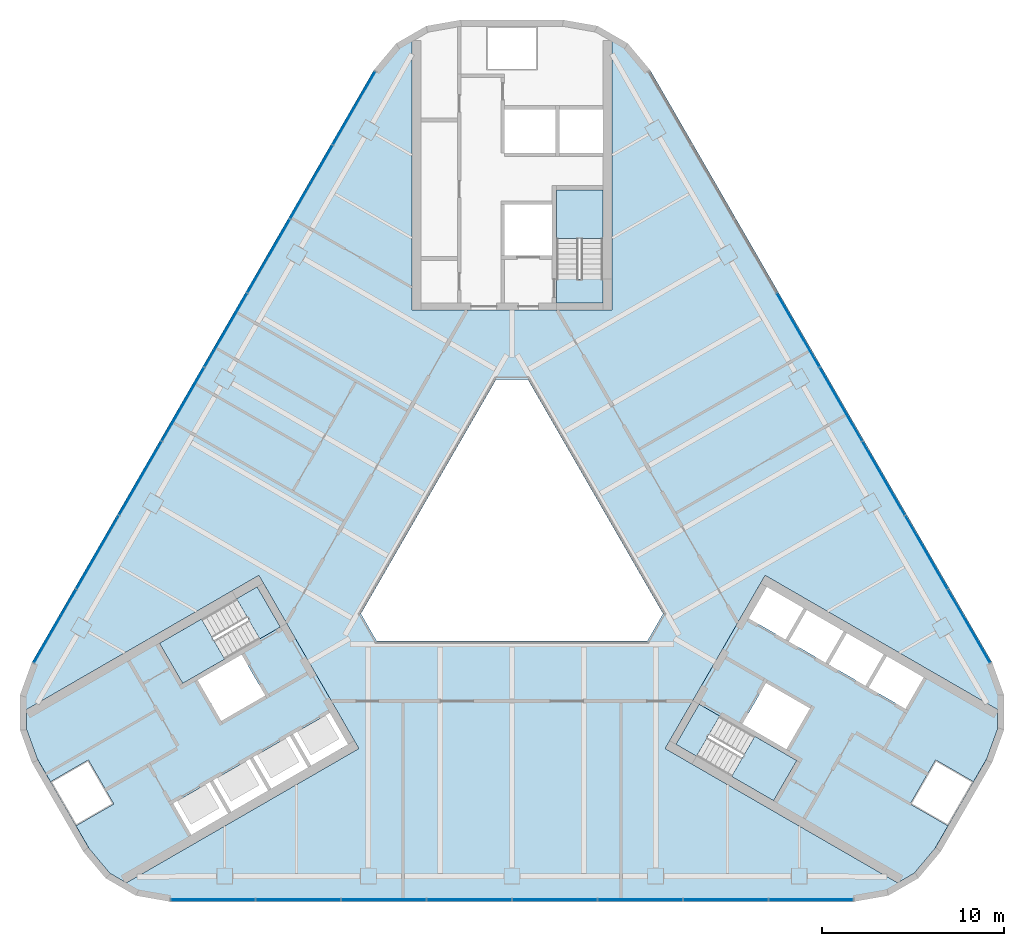
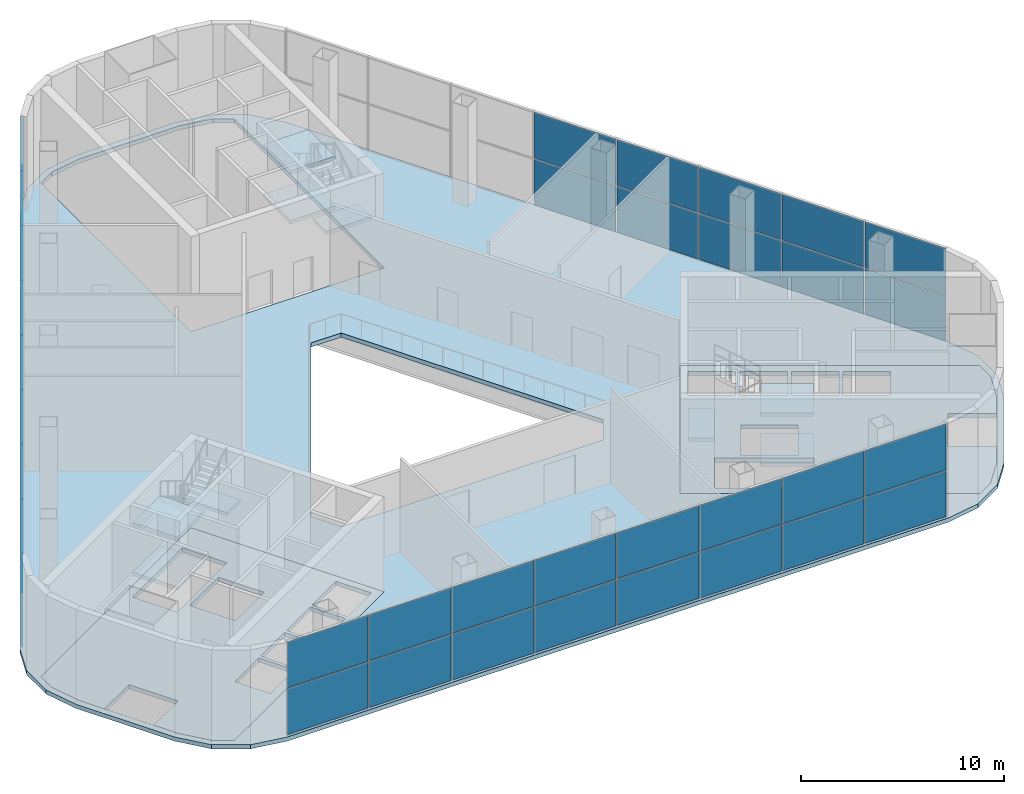
# One storey, part 6 of 14: 42 plates, 12 slabs, 6 elements without a shape of their own.
"""IFC4 building model written with IfcOpenShell, lengths in metres."""

from ifc_helpers import new_model, si_unit, direction, frame, origin, origin_2d, place, context, subcontext, project, spatial, polyline, rectangle, outline, extrude, material, layer, layer_set, type_object, element, aggregate, save


model = new_model("IFC4")

# Units and contexts
model_context = context("Model", 3, precision=1e-05, world=origin(), true_north=direction((0.0, 1.0)))
body_context = subcontext(model_context, "Body", "Model", "MODEL_VIEW")
ifc_project = project(units=[si_unit("LENGTHUNIT", "METRE"), si_unit("AREAUNIT", "SQUARE_METRE"), si_unit("VOLUMEUNIT", "CUBIC_METRE"), si_unit("PLANEANGLEUNIT", "RADIAN"), si_unit("MASSUNIT", "GRAM", prefix="KILO")], contexts=[model_context])

# Site, building, storey
site_placement = place(None, origin())
site = spatial("IfcSite", under=ifc_project, at=site_placement, CompositionType="ELEMENT")
building_placement = place(site_placement, origin())
building = spatial("IfcBuilding", under=site, at=building_placement, Name="Apuvela Tower Hotel", CompositionType="ELEMENT")
storey_placement = place(building_placement, frame((0.0, 0.0, 131.60009765625)))
storey = spatial("IfcBuildingStorey", under=building, at=storey_placement, Name="L31", CompositionType="ELEMENT", Elevation=131.60009765625)

# Slabs
ifc_material_1 = material(Name="Concrete C50/60", Category="concrete")
ifc_layer_1 = layer(ifc_material_1, 0.25)
ifc_layer_set_1 = layer_set([ifc_layer_1], Name="COR-FLOOR-250")
slab_type_1 = type_object("IfcSlabType", Name="COR-FLOOR-250", PredefinedType="FLOOR", material=ifc_layer_set_1)
slab_1_placement = place(storey_placement, frame((0.0, 0.0, -0.25)))
element("IfcSlab", 1, at=slab_1_placement, inside=storey, type_object=slab_type_1, Name="Core floor SW", PredefinedType="FLOOR", context=body_context, shape_type="SweptSolid", body=[
    extrude(outline(polyline([(-26.711181640625, -9.07080078125), (-26.711181640625, -10.123291015625), (-26.109375, -11.77734375), (-25.381591796875, -13.03759765625), (-23.30322265625, -11.837646484375), (-21.9033203125, -14.262451171875), (-23.981689453125, -15.46240234375), (-23.254150390625, -16.72265625), (-22.122802734375, -18.071044921875), (-21.211181640625, -18.59716796875), (-8.421630859375, -11.213134765625), (-13.921630859375, -1.68701171875), (-26.711181640625, -9.07080078125)]), holes=[polyline([(-10.01806640625, -9.248046875), (-9.01806640625, -10.97998046875), (-11.044677734375, -12.150146484375), (-12.044677734375, -10.418212890625), (-10.01806640625, -9.248046875)]), polyline([(-14.244384765625, -11.68798828125), (-12.2177734375, -10.51806640625), (-11.2177734375, -12.25), (-13.244384765625, -13.420166015625), (-14.244384765625, -11.68798828125)]), polyline([(-19.387451171875, -5.419921875), (-15.149169921875, -2.972900390625), (-13.874267578125, -5.18115234375), (-18.112548828125, -7.628173828125), (-19.387451171875, -5.419921875)]), polyline([(-14.869873046875, -6.044677734375), (-13.56982421875, -8.29638671875), (-15.99462890625, -9.6962890625), (-17.294677734375, -7.444580078125), (-14.869873046875, -6.044677734375)]), polyline([(-16.444091796875, -12.9580078125), (-14.41748046875, -11.7880859375), (-13.41748046875, -13.52001953125), (-15.444091796875, -14.690185546875), (-16.444091796875, -12.9580078125)]), polyline([(-18.643798828125, -14.22802734375), (-16.6171875, -13.05810546875), (-15.6171875, -14.7900390625), (-17.643798828125, -15.960205078125), (-18.643798828125, -14.22802734375)])]), origin(), (0.0, 0.0, 1.0), 0.25),
])
slab_2_placement = place(storey_placement, frame((0.0, 0.0, -0.25)))
element("IfcSlab", 2, at=slab_2_placement, inside=storey, type_object=slab_type_1, Name="Core floor SE", PredefinedType="FLOOR", context=body_context, shape_type="SweptSolid", body=[
    extrude(outline(polyline([(21.211181640625, -18.59716796875), (22.122802734375, -18.071044921875), (23.254150390625, -16.72265625), (23.981689453125, -15.46240234375), (21.9033203125, -14.262451171875), (23.30322265625, -11.837646484375), (25.381591796875, -13.03759765625), (26.109375, -11.77734375), (26.711181640625, -10.123291015625), (26.711181640625, -9.07080078125), (13.921630859375, -1.68701171875), (8.421630859375, -11.213134765625), (21.211181640625, -18.59716796875)]), holes=[polyline([(13.01806640625, -4.052001953125), (14.01806640625, -2.31982421875), (16.044677734375, -3.489990234375), (15.044677734375, -5.221923828125), (13.01806640625, -4.052001953125)]), polyline([(17.244384765625, -6.491943359375), (15.2177734375, -5.322021484375), (16.2177734375, -3.58984375), (18.244384765625, -4.760009765625), (17.244384765625, -6.491943359375)]), polyline([(14.387451171875, -14.080078125), (10.149169921875, -11.633056640625), (11.42431640625, -9.4248046875), (15.66259765625, -11.871826171875), (14.387451171875, -14.080078125)]), polyline([(12.669921875, -9.855224609375), (13.9697265625, -7.603515625), (16.394775390625, -9.003662109375), (15.0947265625, -11.25537109375), (12.669921875, -9.855224609375)]), polyline([(19.444091796875, -7.761962890625), (17.41748046875, -6.591796875), (18.41748046875, -4.85986328125), (20.444091796875, -6.02978515625), (19.444091796875, -7.761962890625)]), polyline([(21.643798828125, -9.031982421875), (19.6171875, -7.86181640625), (20.6171875, -6.1298828125), (22.643798828125, -7.2998046875), (21.643798828125, -9.031982421875)])]), origin(), (0.0, 0.0, 1.0), 0.25),
])

# Stair, slabs
stair_type = type_object("IfcStairType", Name="COR-STAIR-36R", PredefinedType="HALF_TURN_STAIR", material=ifc_material_1)
stair_1_placement = place(storey_placement, origin())
stair_1 = element("IfcStair", 3, at=stair_1_placement, inside=storey, type_object=stair_type, Name="L31 Exit stair ST1", PredefinedType="HALF_TURN_STAIR")
ifc_layer_2 = layer(ifc_material_1, 0.199951171875)
ifc_layer_set_2 = layer_set([ifc_layer_2], Name="COR-LANDING-200")
slab_type_2 = type_object("IfcSlabType", Name="COR-LANDING-200", PredefinedType="LANDING", material=ifc_layer_set_2)
slab_3_placement = place(storey_placement, frame((0.0, 0.0, 1.2998046875)))
slab_3 = element("IfcSlab", 4, at=slab_3_placement, type_object=slab_type_2, Name="ST1 landing 1", PredefinedType="LANDING", context=body_context, shape_type="SweptSolid", body=[
    extrude(outline(polyline([(5.0, 16.833984375), (5.0, 19.5), (2.449951171875, 19.5), (2.449951171875, 16.833984375), (5.0, 16.833984375)])), origin(), (0.0, 0.0, 1.0), 0.2001953125),
])
slab_4_placement = place(storey_placement, frame((0.0, 0.0, 2.7998046875)))
slab_4 = element("IfcSlab", 5, at=slab_4_placement, type_object=slab_type_2, Name="ST1 landing 2", PredefinedType="LANDING", context=body_context, shape_type="SweptSolid", body=[
    extrude(outline(polyline([(5.0, 13.300048828125), (5.0, 14.60595703125), (2.449951171875, 14.60595703125), (2.449951171875, 13.300048828125), (5.0, 13.300048828125)])), origin(), (0.0, 0.0, 1.0), 0.2001953125),
])
slab_5_placement = place(storey_placement, frame((0.0, 0.0, 4.2998046875)))
slab_5 = element("IfcSlab", 6, at=slab_5_placement, type_object=slab_type_2, Name="ST1 landing 3", PredefinedType="LANDING", context=body_context, shape_type="SweptSolid", body=[
    extrude(outline(polyline([(5.0, 16.833984375), (5.0, 19.5), (2.449951171875, 19.5), (2.449951171875, 16.833984375), (5.0, 16.833984375)])), origin(), (0.0, 0.0, 1.0), 0.2001953125),
])
aggregate(stair_1, [slab_3, slab_4, slab_5])

stair_2_placement = place(storey_placement, origin())
stair_2 = element("IfcStair", 7, at=stair_2_placement, inside=storey, type_object=stair_type, Name="L31 Exit stair ST2", PredefinedType="HALF_TURN_STAIR")
slab_6_placement = place(storey_placement, frame((0.0, 0.0, 1.2998046875)))
slab_6 = element("IfcSlab", 8, at=slab_6_placement, type_object=slab_type_2, Name="ST2 landing 1", PredefinedType="LANDING", context=body_context, shape_type="SweptSolid", body=[
    extrude(outline(polyline([(-17.07861328125, -4.0869140625), (-19.387451171875, -5.419921875), (-18.112548828125, -7.628173828125), (-15.8037109375, -6.295166015625), (-17.07861328125, -4.0869140625)])), origin(), (0.0, 0.0, 1.0), 0.2001953125),
])
slab_7_placement = place(storey_placement, frame((0.0, 0.0, 2.7998046875)))
slab_7 = element("IfcSlab", 9, at=slab_7_placement, type_object=slab_type_2, Name="ST2 landing 2", PredefinedType="LANDING", context=body_context, shape_type="SweptSolid", body=[
    extrude(outline(polyline([(-14.01806640625, -2.31982421875), (-15.149169921875, -2.972900390625), (-13.874267578125, -5.18115234375), (-12.7431640625, -4.5283203125), (-14.01806640625, -2.31982421875)])), origin(), (0.0, 0.0, 1.0), 0.2001953125),
])
slab_8_placement = place(storey_placement, frame((0.0, 0.0, 4.2998046875)))
slab_8 = element("IfcSlab", 10, at=slab_8_placement, type_object=slab_type_2, Name="ST2 landing 3", PredefinedType="LANDING", context=body_context, shape_type="SweptSolid", body=[
    extrude(outline(polyline([(-17.07861328125, -4.0869140625), (-19.387451171875, -5.419921875), (-18.112548828125, -7.628173828125), (-15.8037109375, -6.295166015625), (-17.07861328125, -4.0869140625)])), origin(), (0.0, 0.0, 1.0), 0.2001953125),
])
aggregate(stair_2, [slab_6, slab_7, slab_8])

stair_3_placement = place(storey_placement, origin())
stair_3 = element("IfcStair", 11, at=stair_3_placement, inside=storey, type_object=stair_type, Name="L31 Exit stair ST3", PredefinedType="HALF_TURN_STAIR")
slab_9_placement = place(storey_placement, frame((0.0, 0.0, 1.2998046875)))
slab_9 = element("IfcSlab", 12, at=slab_9_placement, type_object=slab_type_2, Name="ST3 landing 1", PredefinedType="LANDING", context=body_context, shape_type="SweptSolid", body=[
    extrude(outline(polyline([(12.07861328125, -12.7470703125), (14.387451171875, -14.080078125), (15.66259765625, -11.871826171875), (13.353759765625, -10.538818359375), (12.07861328125, -12.7470703125)])), origin(), (0.0, 0.0, 1.0), 0.2001953125),
])
slab_10_placement = place(storey_placement, frame((0.0, 0.0, 2.7998046875)))
slab_10 = element("IfcSlab", 13, at=slab_10_placement, type_object=slab_type_2, Name="ST3 landing 2", PredefinedType="LANDING", context=body_context, shape_type="SweptSolid", body=[
    extrude(outline(polyline([(9.01806640625, -10.980224609375), (10.149169921875, -11.633056640625), (11.424072265625, -9.4248046875), (10.293212890625, -8.771728515625), (9.01806640625, -10.980224609375)])), origin(), (0.0, 0.0, 1.0), 0.2001953125),
])
slab_11_placement = place(storey_placement, frame((0.0, 0.0, 4.2998046875)))
slab_11 = element("IfcSlab", 14, at=slab_11_placement, type_object=slab_type_2, Name="ST3 landing 3", PredefinedType="LANDING", context=body_context, shape_type="SweptSolid", body=[
    extrude(outline(polyline([(12.07861328125, -12.7470703125), (14.387451171875, -14.080078125), (15.66259765625, -11.871826171875), (13.353759765625, -10.538818359375), (12.07861328125, -12.7470703125)])), origin(), (0.0, 0.0, 1.0), 0.2001953125),
])
aggregate(stair_3, [slab_9, slab_10, slab_11])

# Curtain wall, plates
ifc_material_2 = material(Name="Aluminium 6063-T6, dark bronze anodised", Category="aluminium")
ifc_layer_3 = layer(ifc_material_2, 0.199951171875)
ifc_layer_set_3 = layer_set([ifc_layer_3], Name="ENV-CW-S")
curtain_wall_type = type_object("IfcCurtainWallType", Name="ENV-CW-S", PredefinedType="NOTDEFINED", material=ifc_layer_set_3)
curtain_wall_1_placement = place(storey_placement, origin())
curtain_wall_1 = element("IfcCurtainWall", 15, at=curtain_wall_1_placement, inside=storey, type_object=curtain_wall_type, Name="Curtain wall CW-S S L31", PredefinedType="NOTDEFINED")
ifc_material_3 = material(Name="Glass, dark tinted laminated insulated glazing unit", Category="glass")
ifc_layer_4 = layer(ifc_material_3, 0.0400390625)
ifc_layer_set_4 = layer_set([ifc_layer_4], Name="ENV-PANEL-IGU-40")
plate_type = type_object("IfcPlateType", Name="ENV-PANEL-IGU-40", PredefinedType="CURTAIN_PANEL", material=ifc_layer_set_4)
plate_1_placement = place(storey_placement, frame((-16.447509765625, -19.530029296875, 0.06494140625), z_axis=(0.0, 0.0, 1.0), x_axis=(1.0, 0.0, 0.0)))
plate_1 = element("IfcPlate", 16, at=plate_1_placement, type_object=plate_type, Name="CW-S panel 1.1", PredefinedType="CURTAIN_PANEL", context=body_context, shape_type="SweptSolid", body=[
    extrude(rectangle(XDim=4.6064453125, YDim=0.0400390625, at=origin_2d()), origin(), (0.0, 0.0, 1.0), 2.75244140625),
])
plate_2_placement = place(storey_placement, frame((-16.447509765625, -19.530029296875, 2.88232421875), z_axis=(0.0, 0.0, 1.0), x_axis=(1.0, 0.0, 0.0)))
plate_2 = element("IfcPlate", 17, at=plate_2_placement, type_object=plate_type, Name="CW-S panel 1.2", PredefinedType="CURTAIN_PANEL", context=body_context, shape_type="SweptSolid", body=[
    extrude(rectangle(XDim=4.6064453125, YDim=0.0400390625, at=origin_2d()), origin(), (0.0, 0.0, 1.0), 2.75244140625),
])
plate_3_placement = place(storey_placement, frame((-11.759765625, -19.530029296875, 0.06494140625), z_axis=(0.0, 0.0, 1.0), x_axis=(1.0, 0.0, 0.0)))
plate_3 = element("IfcPlate", 18, at=plate_3_placement, type_object=plate_type, Name="CW-S panel 2.1", PredefinedType="CURTAIN_PANEL", context=body_context, shape_type="SweptSolid", body=[
    extrude(rectangle(XDim=4.638916015625, YDim=0.0400390625, at=origin_2d()), origin(), (0.0, 0.0, 1.0), 2.75244140625),
])
plate_4_placement = place(storey_placement, frame((-11.759765625, -19.530029296875, 2.88232421875), z_axis=(0.0, 0.0, 1.0), x_axis=(1.0, 0.0, 0.0)))
plate_4 = element("IfcPlate", 19, at=plate_4_placement, type_object=plate_type, Name="CW-S panel 2.2", PredefinedType="CURTAIN_PANEL", context=body_context, shape_type="SweptSolid", body=[
    extrude(rectangle(XDim=4.638916015625, YDim=0.0400390625, at=origin_2d()), origin(), (0.0, 0.0, 1.0), 2.75244140625),
])
plate_5_placement = place(storey_placement, frame((-7.055908203125, -19.530029296875, 0.06494140625), z_axis=(0.0, 0.0, 1.0), x_axis=(1.0, 0.0, 0.0)))
plate_5 = element("IfcPlate", 20, at=plate_5_placement, type_object=plate_type, Name="CW-S panel 3.1", PredefinedType="CURTAIN_PANEL", context=body_context, shape_type="SweptSolid", body=[
    extrude(rectangle(XDim=4.638916015625, YDim=0.0400390625, at=origin_2d()), origin(), (0.0, 0.0, 1.0), 2.75244140625),
])
plate_6_placement = place(storey_placement, frame((-7.055908203125, -19.530029296875, 2.88232421875), z_axis=(0.0, 0.0, 1.0), x_axis=(1.0, 0.0, 0.0)))
plate_6 = element("IfcPlate", 21, at=plate_6_placement, type_object=plate_type, Name="CW-S panel 3.2", PredefinedType="CURTAIN_PANEL", context=body_context, shape_type="SweptSolid", body=[
    extrude(rectangle(XDim=4.638916015625, YDim=0.0400390625, at=origin_2d()), origin(), (0.0, 0.0, 1.0), 2.75244140625),
])
plate_7_placement = place(storey_placement, frame((-2.35205078125, -19.530029296875, 0.06494140625), z_axis=(0.0, 0.0, 1.0), x_axis=(1.0, 0.0, 0.0)))
plate_7 = element("IfcPlate", 22, at=plate_7_placement, type_object=plate_type, Name="CW-S panel 4.1", PredefinedType="CURTAIN_PANEL", context=body_context, shape_type="SweptSolid", body=[
    extrude(rectangle(XDim=4.638916015625, YDim=0.0400390625, at=origin_2d()), origin(), (0.0, 0.0, 1.0), 2.75244140625),
])
plate_8_placement = place(storey_placement, frame((-2.35205078125, -19.530029296875, 2.88232421875), z_axis=(0.0, 0.0, 1.0), x_axis=(1.0, 0.0, 0.0)))
plate_8 = element("IfcPlate", 23, at=plate_8_placement, type_object=plate_type, Name="CW-S panel 4.2", PredefinedType="CURTAIN_PANEL", context=body_context, shape_type="SweptSolid", body=[
    extrude(rectangle(XDim=4.638916015625, YDim=0.0400390625, at=origin_2d()), origin(), (0.0, 0.0, 1.0), 2.75244140625),
])
plate_9_placement = place(storey_placement, frame((2.35205078125, -19.530029296875, 0.06494140625), z_axis=(0.0, 0.0, 1.0), x_axis=(1.0, 0.0, 0.0)))
plate_9 = element("IfcPlate", 24, at=plate_9_placement, type_object=plate_type, Name="CW-S panel 5.1", PredefinedType="CURTAIN_PANEL", context=body_context, shape_type="SweptSolid", body=[
    extrude(rectangle(XDim=4.638916015625, YDim=0.0400390625, at=origin_2d()), origin(), (0.0, 0.0, 1.0), 2.75244140625),
])
plate_10_placement = place(storey_placement, frame((2.35205078125, -19.530029296875, 2.88232421875), z_axis=(0.0, 0.0, 1.0), x_axis=(1.0, 0.0, 0.0)))
plate_10 = element("IfcPlate", 25, at=plate_10_placement, type_object=plate_type, Name="CW-S panel 5.2", PredefinedType="CURTAIN_PANEL", context=body_context, shape_type="SweptSolid", body=[
    extrude(rectangle(XDim=4.638916015625, YDim=0.0400390625, at=origin_2d()), origin(), (0.0, 0.0, 1.0), 2.75244140625),
])
plate_11_placement = place(storey_placement, frame((7.055908203125, -19.530029296875, 0.06494140625), z_axis=(0.0, 0.0, 1.0), x_axis=(1.0, 0.0, 0.0)))
plate_11 = element("IfcPlate", 26, at=plate_11_placement, type_object=plate_type, Name="CW-S panel 6.1", PredefinedType="CURTAIN_PANEL", context=body_context, shape_type="SweptSolid", body=[
    extrude(rectangle(XDim=4.638916015625, YDim=0.0400390625, at=origin_2d()), origin(), (0.0, 0.0, 1.0), 2.75244140625),
])
plate_12_placement = place(storey_placement, frame((7.055908203125, -19.530029296875, 2.88232421875), z_axis=(0.0, 0.0, 1.0), x_axis=(1.0, 0.0, 0.0)))
plate_12 = element("IfcPlate", 27, at=plate_12_placement, type_object=plate_type, Name="CW-S panel 6.2", PredefinedType="CURTAIN_PANEL", context=body_context, shape_type="SweptSolid", body=[
    extrude(rectangle(XDim=4.638916015625, YDim=0.0400390625, at=origin_2d()), origin(), (0.0, 0.0, 1.0), 2.75244140625),
])
plate_13_placement = place(storey_placement, frame((11.759765625, -19.530029296875, 0.06494140625), z_axis=(0.0, 0.0, 1.0), x_axis=(1.0, 0.0, 0.0)))
plate_13 = element("IfcPlate", 28, at=plate_13_placement, type_object=plate_type, Name="CW-S panel 7.1", PredefinedType="CURTAIN_PANEL", context=body_context, shape_type="SweptSolid", body=[
    extrude(rectangle(XDim=4.638916015625, YDim=0.0400390625, at=origin_2d()), origin(), (0.0, 0.0, 1.0), 2.75244140625),
])
plate_14_placement = place(storey_placement, frame((11.759765625, -19.530029296875, 2.88232421875), z_axis=(0.0, 0.0, 1.0), x_axis=(1.0, 0.0, 0.0)))
plate_14 = element("IfcPlate", 29, at=plate_14_placement, type_object=plate_type, Name="CW-S panel 7.2", PredefinedType="CURTAIN_PANEL", context=body_context, shape_type="SweptSolid", body=[
    extrude(rectangle(XDim=4.638916015625, YDim=0.0400390625, at=origin_2d()), origin(), (0.0, 0.0, 1.0), 2.75244140625),
])
plate_15_placement = place(storey_placement, frame((16.447509765625, -19.530029296875, 0.06494140625), z_axis=(0.0, 0.0, 1.0), x_axis=(1.0, 0.0, 0.0)))
plate_15 = element("IfcPlate", 30, at=plate_15_placement, type_object=plate_type, Name="CW-S panel 8.1", PredefinedType="CURTAIN_PANEL", context=body_context, shape_type="SweptSolid", body=[
    extrude(rectangle(XDim=4.6064453125, YDim=0.0400390625, at=origin_2d()), origin(), (0.0, 0.0, 1.0), 2.75244140625),
])
plate_16_placement = place(storey_placement, frame((16.447509765625, -19.530029296875, 2.88232421875), z_axis=(0.0, 0.0, 1.0), x_axis=(1.0, 0.0, 0.0)))
plate_16 = element("IfcPlate", 31, at=plate_16_placement, type_object=plate_type, Name="CW-S panel 8.2", PredefinedType="CURTAIN_PANEL", context=body_context, shape_type="SweptSolid", body=[
    extrude(rectangle(XDim=4.6064453125, YDim=0.0400390625, at=origin_2d()), origin(), (0.0, 0.0, 1.0), 2.75244140625),
])
aggregate(curtain_wall_1, [plate_1, plate_2, plate_3, plate_4, plate_5, plate_6, plate_7, plate_8, plate_9, plate_10, plate_11, plate_12, plate_13, plate_14, plate_15, plate_16])

curtain_wall_2_placement = place(storey_placement, origin())
curtain_wall_2 = element("IfcCurtainWall", 32, at=curtain_wall_2_placement, inside=storey, type_object=curtain_wall_type, Name="Curtain wall CW-S NE L31", PredefinedType="NOTDEFINED")
plate_17_placement = place(storey_placement, frame((25.13720703125, -4.47900390625, 0.06494140625), z_axis=(0.0, 0.0, 1.0), x_axis=(-0.49999909771, 0.866025924721, 0.0)))
plate_17 = element("IfcPlate", 33, at=plate_17_placement, type_object=plate_type, Name="CW-S panel 1.1", PredefinedType="CURTAIN_PANEL", context=body_context, shape_type="SweptSolid", body=[
    extrude(rectangle(XDim=4.6064453125, YDim=0.0400390625, at=origin_2d()), origin(), (0.0, 0.0, 1.0), 2.75244140625),
])
plate_18_placement = place(storey_placement, frame((25.13720703125, -4.47900390625, 2.88232421875), z_axis=(0.0, 0.0, 1.0), x_axis=(-0.49999909771, 0.866025924721, 0.0)))
plate_18 = element("IfcPlate", 34, at=plate_18_placement, type_object=plate_type, Name="CW-S panel 1.2", PredefinedType="CURTAIN_PANEL", context=body_context, shape_type="SweptSolid", body=[
    extrude(rectangle(XDim=4.6064453125, YDim=0.0400390625, at=origin_2d()), origin(), (0.0, 0.0, 1.0), 2.75244140625),
])
plate_19_placement = place(storey_placement, frame((22.79345703125, -0.41943359375, 0.06494140625), z_axis=(0.0, 0.0, 1.0), x_axis=(-0.49999909771, 0.866025924721, 0.0)))
plate_19 = element("IfcPlate", 35, at=plate_19_placement, type_object=plate_type, Name="CW-S panel 2.1", PredefinedType="CURTAIN_PANEL", context=body_context, shape_type="SweptSolid", body=[
    extrude(rectangle(XDim=4.638916015625, YDim=0.0400390625, at=origin_2d()), origin(), (0.0, 0.0, 1.0), 2.75244140625),
])
plate_20_placement = place(storey_placement, frame((22.79345703125, -0.41943359375, 2.88232421875), z_axis=(0.0, 0.0, 1.0), x_axis=(-0.49999909771, 0.866025924721, 0.0)))
plate_20 = element("IfcPlate", 36, at=plate_20_placement, type_object=plate_type, Name="CW-S panel 2.2", PredefinedType="CURTAIN_PANEL", context=body_context, shape_type="SweptSolid", body=[
    extrude(rectangle(XDim=4.638916015625, YDim=0.0400390625, at=origin_2d()), origin(), (0.0, 0.0, 1.0), 2.75244140625),
])
plate_21_placement = place(storey_placement, frame((20.44140625, 3.654296875, 0.06494140625), z_axis=(0.0, 0.0, 1.0), x_axis=(-0.49999909771, 0.866025924721, 0.0)))
plate_21 = element("IfcPlate", 37, at=plate_21_placement, type_object=plate_type, Name="CW-S panel 3.1", PredefinedType="CURTAIN_PANEL", context=body_context, shape_type="SweptSolid", body=[
    extrude(rectangle(XDim=4.638916015625, YDim=0.0400390625, at=origin_2d()), origin(), (0.0, 0.0, 1.0), 2.75244140625),
])
plate_22_placement = place(storey_placement, frame((20.44140625, 3.654296875, 2.88232421875), z_axis=(0.0, 0.0, 1.0), x_axis=(-0.49999909771, 0.866025924721, 0.0)))
plate_22 = element("IfcPlate", 38, at=plate_22_placement, type_object=plate_type, Name="CW-S panel 3.2", PredefinedType="CURTAIN_PANEL", context=body_context, shape_type="SweptSolid", body=[
    extrude(rectangle(XDim=4.638916015625, YDim=0.0400390625, at=origin_2d()), origin(), (0.0, 0.0, 1.0), 2.75244140625),
])
plate_23_placement = place(storey_placement, frame((18.089599609375, 7.72802734375, 0.06494140625), z_axis=(0.0, 0.0, 1.0), x_axis=(-0.49999909771, 0.866025924721, 0.0)))
plate_23 = element("IfcPlate", 39, at=plate_23_placement, type_object=plate_type, Name="CW-S panel 4.1", PredefinedType="CURTAIN_PANEL", context=body_context, shape_type="SweptSolid", body=[
    extrude(rectangle(XDim=4.638916015625, YDim=0.0400390625, at=origin_2d()), origin(), (0.0, 0.0, 1.0), 2.75244140625),
])
plate_24_placement = place(storey_placement, frame((18.089599609375, 7.72802734375, 2.88232421875), z_axis=(0.0, 0.0, 1.0), x_axis=(-0.49999909771, 0.866025924721, 0.0)))
plate_24 = element("IfcPlate", 40, at=plate_24_placement, type_object=plate_type, Name="CW-S panel 4.2", PredefinedType="CURTAIN_PANEL", context=body_context, shape_type="SweptSolid", body=[
    extrude(rectangle(XDim=4.638916015625, YDim=0.0400390625, at=origin_2d()), origin(), (0.0, 0.0, 1.0), 2.75244140625),
])
plate_25_placement = place(storey_placement, frame((15.737548828125, 11.8017578125, 0.06494140625), z_axis=(0.0, 0.0, 1.0), x_axis=(-0.49999909771, 0.866025924721, 0.0)))
plate_25 = element("IfcPlate", 41, at=plate_25_placement, type_object=plate_type, Name="CW-S panel 5.1", PredefinedType="CURTAIN_PANEL", context=body_context, shape_type="SweptSolid", body=[
    extrude(rectangle(XDim=4.638916015625, YDim=0.0400390625, at=origin_2d()), origin(), (0.0, 0.0, 1.0), 2.75244140625),
])
plate_26_placement = place(storey_placement, frame((15.737548828125, 11.8017578125, 2.88232421875), z_axis=(0.0, 0.0, 1.0), x_axis=(-0.49999909771, 0.866025924721, 0.0)))
plate_26 = element("IfcPlate", 42, at=plate_26_placement, type_object=plate_type, Name="CW-S panel 5.2", PredefinedType="CURTAIN_PANEL", context=body_context, shape_type="SweptSolid", body=[
    extrude(rectangle(XDim=4.638916015625, YDim=0.0400390625, at=origin_2d()), origin(), (0.0, 0.0, 1.0), 2.75244140625),
])
aggregate(curtain_wall_2, [plate_17, plate_18, plate_19, plate_20, plate_21, plate_22, plate_23, plate_24, plate_25, plate_26])

curtain_wall_3_placement = place(storey_placement, origin())
curtain_wall_3 = element("IfcCurtainWall", 43, at=curtain_wall_3_placement, inside=storey, type_object=curtain_wall_type, Name="Curtain wall CW-S NW L31", PredefinedType="NOTDEFINED")
plate_27_placement = place(storey_placement, frame((-8.689697265625, 24.009033203125, 0.06494140625), z_axis=(0.0, 0.0, 1.0), x_axis=(-0.49999909771, -0.866025924721, 0.0)))
plate_27 = element("IfcPlate", 44, at=plate_27_placement, type_object=plate_type, Name="CW-S panel 1.1", PredefinedType="CURTAIN_PANEL", context=body_context, shape_type="SweptSolid", body=[
    extrude(rectangle(XDim=4.6064453125, YDim=0.0400390625, at=origin_2d()), origin(), (0.0, 0.0, 1.0), 2.75244140625),
])
plate_28_placement = place(storey_placement, frame((-8.689697265625, 24.009033203125, 2.88232421875), z_axis=(0.0, 0.0, 1.0), x_axis=(-0.49999909771, -0.866025924721, 0.0)))
plate_28 = element("IfcPlate", 45, at=plate_28_placement, type_object=plate_type, Name="CW-S panel 1.2", PredefinedType="CURTAIN_PANEL", context=body_context, shape_type="SweptSolid", body=[
    extrude(rectangle(XDim=4.6064453125, YDim=0.0400390625, at=origin_2d()), origin(), (0.0, 0.0, 1.0), 2.75244140625),
])
plate_29_placement = place(storey_placement, frame((-11.033447265625, 19.949462890625, 0.06494140625), z_axis=(0.0, 0.0, 1.0), x_axis=(-0.49999909771, -0.866025924721, 0.0)))
plate_29 = element("IfcPlate", 46, at=plate_29_placement, type_object=plate_type, Name="CW-S panel 2.1", PredefinedType="CURTAIN_PANEL", context=body_context, shape_type="SweptSolid", body=[
    extrude(rectangle(XDim=4.638916015625, YDim=0.0400390625, at=origin_2d()), origin(), (0.0, 0.0, 1.0), 2.75244140625),
])
plate_30_placement = place(storey_placement, frame((-11.033447265625, 19.949462890625, 2.88232421875), z_axis=(0.0, 0.0, 1.0), x_axis=(-0.49999909771, -0.866025924721, 0.0)))
plate_30 = element("IfcPlate", 47, at=plate_30_placement, type_object=plate_type, Name="CW-S panel 2.2", PredefinedType="CURTAIN_PANEL", context=body_context, shape_type="SweptSolid", body=[
    extrude(rectangle(XDim=4.638916015625, YDim=0.0400390625, at=origin_2d()), origin(), (0.0, 0.0, 1.0), 2.75244140625),
])
plate_31_placement = place(storey_placement, frame((-13.385498046875, 15.875732421875, 0.06494140625), z_axis=(0.0, 0.0, 1.0), x_axis=(-0.49999909771, -0.866025924721, 0.0)))
plate_31 = element("IfcPlate", 48, at=plate_31_placement, type_object=plate_type, Name="CW-S panel 3.1", PredefinedType="CURTAIN_PANEL", context=body_context, shape_type="SweptSolid", body=[
    extrude(rectangle(XDim=4.638916015625, YDim=0.0400390625, at=origin_2d()), origin(), (0.0, 0.0, 1.0), 2.75244140625),
])
plate_32_placement = place(storey_placement, frame((-13.385498046875, 15.875732421875, 2.88232421875), z_axis=(0.0, 0.0, 1.0), x_axis=(-0.49999909771, -0.866025924721, 0.0)))
plate_32 = element("IfcPlate", 49, at=plate_32_placement, type_object=plate_type, Name="CW-S panel 3.2", PredefinedType="CURTAIN_PANEL", context=body_context, shape_type="SweptSolid", body=[
    extrude(rectangle(XDim=4.638916015625, YDim=0.0400390625, at=origin_2d()), origin(), (0.0, 0.0, 1.0), 2.75244140625),
])
plate_33_placement = place(storey_placement, frame((-15.737548828125, 11.8017578125, 0.06494140625), z_axis=(0.0, 0.0, 1.0), x_axis=(-0.49999909771, -0.866025924721, 0.0)))
plate_33 = element("IfcPlate", 50, at=plate_33_placement, type_object=plate_type, Name="CW-S panel 4.1", PredefinedType="CURTAIN_PANEL", context=body_context, shape_type="SweptSolid", body=[
    extrude(rectangle(XDim=4.638916015625, YDim=0.0400390625, at=origin_2d()), origin(), (0.0, 0.0, 1.0), 2.75244140625),
])
plate_34_placement = place(storey_placement, frame((-15.737548828125, 11.8017578125, 2.88232421875), z_axis=(0.0, 0.0, 1.0), x_axis=(-0.49999909771, -0.866025924721, 0.0)))
plate_34 = element("IfcPlate", 51, at=plate_34_placement, type_object=plate_type, Name="CW-S panel 4.2", PredefinedType="CURTAIN_PANEL", context=body_context, shape_type="SweptSolid", body=[
    extrude(rectangle(XDim=4.638916015625, YDim=0.0400390625, at=origin_2d()), origin(), (0.0, 0.0, 1.0), 2.75244140625),
])
plate_35_placement = place(storey_placement, frame((-18.089599609375, 7.72802734375, 0.06494140625), z_axis=(0.0, 0.0, 1.0), x_axis=(-0.49999909771, -0.866025924721, 0.0)))
plate_35 = element("IfcPlate", 52, at=plate_35_placement, type_object=plate_type, Name="CW-S panel 5.1", PredefinedType="CURTAIN_PANEL", context=body_context, shape_type="SweptSolid", body=[
    extrude(rectangle(XDim=4.638916015625, YDim=0.0400390625, at=origin_2d()), origin(), (0.0, 0.0, 1.0), 2.75244140625),
])
plate_36_placement = place(storey_placement, frame((-18.089599609375, 7.72802734375, 2.88232421875), z_axis=(0.0, 0.0, 1.0), x_axis=(-0.49999909771, -0.866025924721, 0.0)))
plate_36 = element("IfcPlate", 53, at=plate_36_placement, type_object=plate_type, Name="CW-S panel 5.2", PredefinedType="CURTAIN_PANEL", context=body_context, shape_type="SweptSolid", body=[
    extrude(rectangle(XDim=4.638916015625, YDim=0.0400390625, at=origin_2d()), origin(), (0.0, 0.0, 1.0), 2.75244140625),
])
plate_37_placement = place(storey_placement, frame((-20.44140625, 3.654296875, 0.06494140625), z_axis=(0.0, 0.0, 1.0), x_axis=(-0.49999909771, -0.866025924721, 0.0)))
plate_37 = element("IfcPlate", 54, at=plate_37_placement, type_object=plate_type, Name="CW-S panel 6.1", PredefinedType="CURTAIN_PANEL", context=body_context, shape_type="SweptSolid", body=[
    extrude(rectangle(XDim=4.638916015625, YDim=0.0400390625, at=origin_2d()), origin(), (0.0, 0.0, 1.0), 2.75244140625),
])
plate_38_placement = place(storey_placement, frame((-20.44140625, 3.654296875, 2.88232421875), z_axis=(0.0, 0.0, 1.0), x_axis=(-0.49999909771, -0.866025924721, 0.0)))
plate_38 = element("IfcPlate", 55, at=plate_38_placement, type_object=plate_type, Name="CW-S panel 6.2", PredefinedType="CURTAIN_PANEL", context=body_context, shape_type="SweptSolid", body=[
    extrude(rectangle(XDim=4.638916015625, YDim=0.0400390625, at=origin_2d()), origin(), (0.0, 0.0, 1.0), 2.75244140625),
])
plate_39_placement = place(storey_placement, frame((-22.79345703125, -0.41943359375, 0.06494140625), z_axis=(0.0, 0.0, 1.0), x_axis=(-0.49999909771, -0.866025924721, 0.0)))
plate_39 = element("IfcPlate", 56, at=plate_39_placement, type_object=plate_type, Name="CW-S panel 7.1", PredefinedType="CURTAIN_PANEL", context=body_context, shape_type="SweptSolid", body=[
    extrude(rectangle(XDim=4.638916015625, YDim=0.0400390625, at=origin_2d()), origin(), (0.0, 0.0, 1.0), 2.75244140625),
])
plate_40_placement = place(storey_placement, frame((-22.79345703125, -0.41943359375, 2.88232421875), z_axis=(0.0, 0.0, 1.0), x_axis=(-0.49999909771, -0.866025924721, 0.0)))
plate_40 = element("IfcPlate", 57, at=plate_40_placement, type_object=plate_type, Name="CW-S panel 7.2", PredefinedType="CURTAIN_PANEL", context=body_context, shape_type="SweptSolid", body=[
    extrude(rectangle(XDim=4.638916015625, YDim=0.0400390625, at=origin_2d()), origin(), (0.0, 0.0, 1.0), 2.75244140625),
])
plate_41_placement = place(storey_placement, frame((-25.13720703125, -4.47900390625, 0.06494140625), z_axis=(0.0, 0.0, 1.0), x_axis=(-0.49999909771, -0.866025924721, 0.0)))
plate_41 = element("IfcPlate", 58, at=plate_41_placement, type_object=plate_type, Name="CW-S panel 8.1", PredefinedType="CURTAIN_PANEL", context=body_context, shape_type="SweptSolid", body=[
    extrude(rectangle(XDim=4.6064453125, YDim=0.0400390625, at=origin_2d()), origin(), (0.0, 0.0, 1.0), 2.75244140625),
])
plate_42_placement = place(storey_placement, frame((-25.13720703125, -4.47900390625, 2.88232421875), z_axis=(0.0, 0.0, 1.0), x_axis=(-0.49999909771, -0.866025924721, 0.0)))
plate_42 = element("IfcPlate", 59, at=plate_42_placement, type_object=plate_type, Name="CW-S panel 8.2", PredefinedType="CURTAIN_PANEL", context=body_context, shape_type="SweptSolid", body=[
    extrude(rectangle(XDim=4.6064453125, YDim=0.0400390625, at=origin_2d()), origin(), (0.0, 0.0, 1.0), 2.75244140625),
])
aggregate(curtain_wall_3, [plate_27, plate_28, plate_29, plate_30, plate_31, plate_32, plate_33, plate_34, plate_35, plate_36, plate_37, plate_38, plate_39, plate_40, plate_41, plate_42])

# Slab
ifc_material_4 = material(Name="Concrete C35/45", Category="concrete")
ifc_layer_5 = layer(ifc_material_4, 0.25)
ifc_layer_set_5 = layer_set([ifc_layer_5], Name="STR-SLAB 250 floor Concrete C35/45")
slab_type_3 = type_object("IfcSlabType", Name="STR-SLAB 250 floor Concrete C35/45", PredefinedType="FLOOR", material=ifc_layer_set_5)
slab_12_placement = place(storey_placement, frame((0.0, 0.0, -0.25)))
element("IfcSlab", 60, at=slab_12_placement, inside=storey, type_object=slab_type_3, Name="Floor slab S5 L31", PredefinedType="FLOOR", context=body_context, shape_type="SweptSolid", body=[
    extrude(outline(polyline([(7.59228515625, 26.110107421875), (6.3642578125, 27.5732421875), (4.710205078125, 28.5283203125), (2.8291015625, 28.860107421875), (-2.8291015625, 28.860107421875), (-4.710205078125, 28.5283203125), (-6.3642578125, 27.5732421875), (-7.59228515625, 26.110107421875), (-26.407958984375, -6.47998046875), (-27.061279296875, -8.27490234375), (-27.061279296875, -10.18505859375), (-26.407958984375, -11.97998046875), (-23.5791015625, -16.8798828125), (-22.351318359375, -18.34326171875), (-20.697021484375, -19.29833984375), (-18.81591796875, -19.6298828125), (18.81591796875, -19.6298828125), (20.697021484375, -19.29833984375), (22.351318359375, -18.34326171875), (23.5791015625, -16.8798828125), (26.407958984375, -11.97998046875), (27.061279296875, -10.18505859375), (27.061279296875, -8.27490234375), (26.407958984375, -6.47998046875), (7.59228515625, 26.110107421875)]), holes=[polyline([(0.865966796875, 9.10009765625), (-0.865966796875, 9.10009765625), (-8.313720703125, -3.800048828125), (-7.44775390625, -5.300048828125), (7.44775390625, -5.300048828125), (8.313720703125, -3.800048828125), (0.865966796875, 9.10009765625)]), polyline([(-5.5, 12.89990234375), (-5.5, 27.668212890625), (-4.588623046875, 28.1943359375), (-2.85498046875, 28.5), (2.85498046875, 28.5), (4.588623046875, 28.1943359375), (5.5, 27.668212890625), (5.5, 12.89990234375), (-5.5, 12.89990234375)]), polyline([(-8.421630859375, -11.213134765625), (-21.211181640625, -18.59716796875), (-22.122802734375, -18.071044921875), (-23.254150390625, -16.72265625), (-26.109375, -11.77734375), (-26.711181640625, -10.123291015625), (-26.711181640625, -9.07080078125), (-13.921630859375, -1.68701171875), (-8.421630859375, -11.213134765625)]), polyline([(13.921630859375, -1.68701171875), (26.711181640625, -9.07080078125), (26.711181640625, -10.123291015625), (26.109375, -11.77734375), (23.254150390625, -16.72265625), (22.122802734375, -18.071044921875), (21.211181640625, -18.59716796875), (8.421630859375, -11.213134765625), (13.921630859375, -1.68701171875)])]), origin(), (0.0, 0.0, 1.0), 0.25),
])

save(model, "model.ifc")
